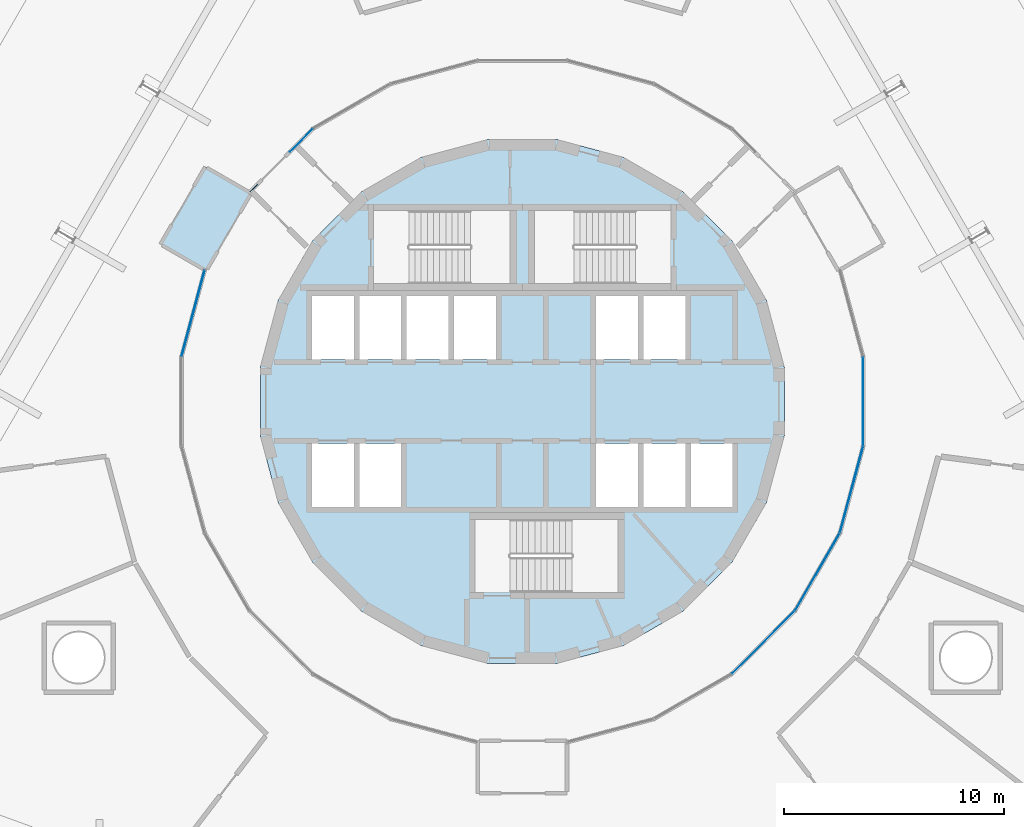
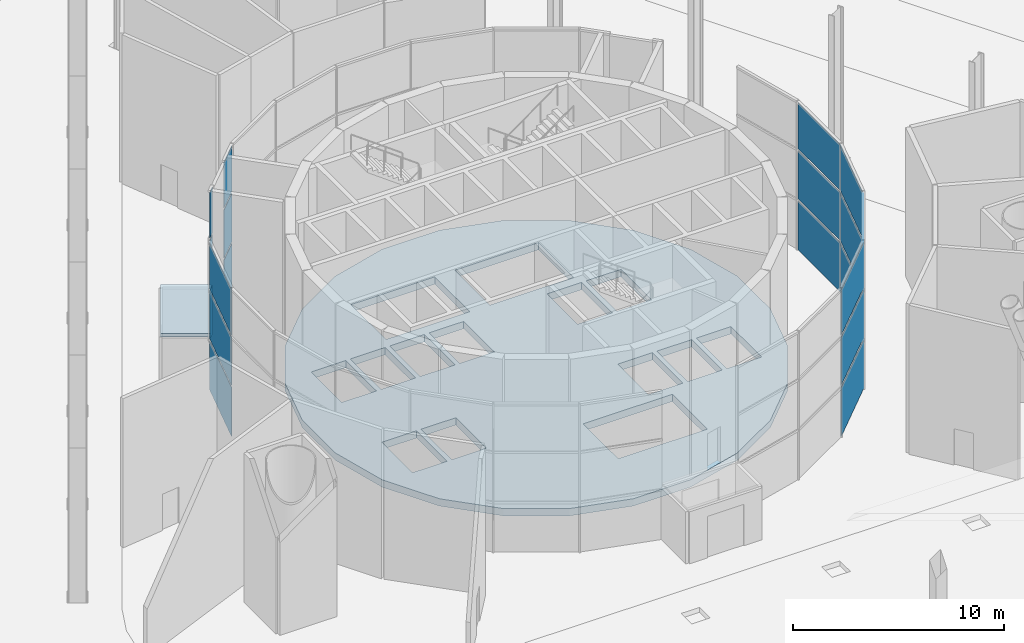
# One storey, part 11 of 21: 21 plates, 2 slabs, 6 elements without a shape of their own.
"""IFC4 building model written with IfcOpenShell, lengths in metres."""

import ifcopenshell
import ifcopenshell.guid

model = None  # the IFC model being written
_history = None  # IfcOwnerHistory: only IFC2X3 demands one
_inside = {}  # id of a spatial element -> (the spatial element, [elements in it])
_under = {}  # id of a project, library or spatial element -> (it, [spatial elements below it])
_declared = {}  # id of a project -> (the project, [libraries it declares])
_typed = {}  # id of a type object -> (the type object, [elements of that type])
_made_of = {}  # id of a material, layer set ... -> (it, [elements and type objects made of it])


def new_model(schema):
    """Start an empty IFC model of exactly this schema.

    Asked for "IFC4X3", IfcOpenShell would pick the latest addendum, in which some entities
    have other attributes; the version numbers below select the first issue.
    IFC2X3 requires an IfcOwnerHistory on every rooted entity: one is made here for all.
    """
    global model, _history
    if schema == "IFC4X3":
        model = ifcopenshell.file(schema_version=(4, 3, 0, 0))
    else:
        model = ifcopenshell.file(schema=schema)
    _inside.clear()
    _under.clear()
    _declared.clear()
    _typed.clear()
    _made_of.clear()
    _history = None
    if model.schema == "IFC2X3":
        org = make("IfcOrganization", Name="unknown")
        user = make(
            "IfcPersonAndOrganization",
            ThePerson=make("IfcPerson", FamilyName="unknown"),
            TheOrganization=org,
        )
        app = make(
            "IfcApplication",
            ApplicationDeveloper=org,
            Version="unknown",
            ApplicationFullName="unknown",
            ApplicationIdentifier="unknown",
        )
        _history = make(
            "IfcOwnerHistory",
            OwningUser=user,
            OwningApplication=app,
            ChangeAction="ADDED",
            CreationDate=0,
        )
    return model


def make(cls, **values):
    """One entity of the class cls with the attributes given. An attribute that is None is left unset."""
    return model.create_entity(
        cls, **{name: value for name, value in values.items() if value is not None}
    )


def rooted(cls, **values):
    """An entity with a GlobalId (a new one), such as an element, a storey or a relation."""
    return make(cls, GlobalId=ifcopenshell.guid.new(), OwnerHistory=_history, **values)


def si_unit(unit_type, name, prefix=None):
    """IfcSIUnit, for example si_unit("LENGTHUNIT", "METRE", prefix="MILLI")."""
    return make("IfcSIUnit", UnitType=unit_type, Prefix=prefix, Name=name)


def assignment(units):
    """IfcUnitAssignment: the units of a project."""
    return None if units is None else make("IfcUnitAssignment", Units=units)


def point(xyz):
    """IfcCartesianPoint."""
    return None if xyz is None else make("IfcCartesianPoint", Coordinates=xyz)


def direction(xyz):
    """IfcDirection."""
    return None if xyz is None else make("IfcDirection", DirectionRatios=xyz)


def frame(location, z_axis=None, x_axis=None):
    """IfcAxis2Placement3D, a coordinate frame: its origin and axes. An axis left out is left unset."""
    return make(
        "IfcAxis2Placement3D",
        Location=point(location),
        Axis=direction(z_axis),
        RefDirection=direction(x_axis),
    )


def frame_2d(location, x_axis=None):
    """IfcAxis2Placement2D, a coordinate frame in the plane: its origin and x axis."""
    return make(
        "IfcAxis2Placement2D", Location=point(location), RefDirection=direction(x_axis)
    )


def origin():
    """The frame at (0, 0, 0) with its axes left unset."""
    return frame((0.0, 0.0, 0.0))


def origin_2d():
    """The frame at (0, 0) in the plane with its x axis left unset."""
    return frame_2d((0.0, 0.0))


def place(relative_to, where):
    """IfcLocalPlacement: puts the frame where relative to a parent placement (None: the world)."""
    return make(
        "IfcLocalPlacement", PlacementRelTo=relative_to, RelativePlacement=where
    )


def context(
    kind, dimensions, precision=None, world=None, true_north=None, identifier=None
):
    """IfcGeometricRepresentationContext, for example the 3D "Model" context."""
    return make(
        "IfcGeometricRepresentationContext",
        ContextIdentifier=identifier,
        ContextType=kind,
        CoordinateSpaceDimension=dimensions,
        Precision=precision,
        WorldCoordinateSystem=world,
        TrueNorth=true_north,
    )


def subcontext(parent, identifier, kind, view, scale=None):
    """IfcGeometricRepresentationSubContext, for example "Body" below "Model"."""
    return make(
        "IfcGeometricRepresentationSubContext",
        ContextIdentifier=identifier,
        ContextType=kind,
        ParentContext=parent,
        TargetScale=scale,
        TargetView=view,
    )


def project(units=None, contexts=None):
    """IfcProject with its units and contexts."""
    return rooted(
        "IfcProject",
        Name="project",
        RepresentationContexts=contexts,
        UnitsInContext=assignment(units),
    )


def spatial(cls, under=None, at=None, **own):
    """A site, building, storey or space (cls), placed at a placement, below another one or the project."""
    s = rooted(cls, ObjectPlacement=at, **own)
    if under is not None:
        _under.setdefault(under.id(), (under, []))[1].append(s)
    return s


def polyline(points):
    """IfcPolyline through the points."""
    return make("IfcPolyline", Points=[point(p) for p in points])


def profile(cls, at=None, kind="AREA", **sizes):
    """A parametric profile (cls). Its sizes go by their IFC names, for example OverallWidth=200.0."""
    return make(cls, ProfileType=kind, Position=at, **sizes)


def rectangle(**sizes):
    """IfcRectangleProfileDef."""
    return profile("IfcRectangleProfileDef", **sizes)


def outline(outer, holes=None, kind="AREA"):
    """IfcArbitraryClosedProfileDef: a profile drawn as a closed curve; with holes, ...WithVoids."""
    if holes is None:
        return make("IfcArbitraryClosedProfileDef", ProfileType=kind, OuterCurve=outer)
    return make(
        "IfcArbitraryProfileDefWithVoids",
        ProfileType=kind,
        OuterCurve=outer,
        InnerCurves=holes,
    )


def extrude(swept, where, along, depth):
    """IfcExtrudedAreaSolid: the profile swept, set in the frame where, extruded along a direction by depth."""
    return make(
        "IfcExtrudedAreaSolid",
        SweptArea=swept,
        Position=where,
        ExtrudedDirection=direction(along),
        Depth=depth,
    )


def shape(context_of_items, identifier, shape_type, items):
    """IfcShapeRepresentation: the items that make up one representation, for example the "Body"."""
    return make(
        "IfcShapeRepresentation",
        ContextOfItems=context_of_items,
        RepresentationIdentifier=identifier,
        RepresentationType=shape_type,
        Items=items,
    )


def material(Name=None, Category=None):
    """IfcMaterial."""
    return make("IfcMaterial", Name=Name, Category=Category)


def layer(
    of_material, thickness, ventilated=None, Name=None, Category=None, Priority=None
):
    """IfcMaterialLayer: one layer of a wall or slab, of a material (None: an air gap)."""
    return make(
        "IfcMaterialLayer",
        Material=of_material,
        LayerThickness=thickness,
        IsVentilated=ventilated,
        Name=Name,
        Category=Category,
        Priority=Priority,
    )


def layer_set(layers, Name=None):
    """IfcMaterialLayerSet."""
    return make("IfcMaterialLayerSet", MaterialLayers=layers, LayerSetName=Name)


def made_of(thing, what):
    """Note that an element or type object is made of a material, layer set ...; save() writes the relation."""
    if what is not None:
        _made_of.setdefault(what.id(), (what, []))[1].append(thing)
    return thing


def type_object(cls, material=None, **own):
    """A type object (cls), such as IfcWallType, which elements share."""
    return made_of(rooted(cls, **own), material)


def element(
    cls,
    number,
    at=None,
    inside=None,
    cuts=None,
    type_object=None,
    material=None,
    context=None,
    identifier="Body",
    shape_type=None,
    held_by="IfcProductDefinitionShape",
    body=None,
    shapes=None,
    **own,
):
    """One element of the class cls, such as IfcWall. Its Tag is "e" and its number.

    at: its placement. inside: the storey or other place that contains it. cuts: it is an
    opening in that element (IfcRelVoidsElement). A single representation is given by context,
    identifier, shape_type and body (its items); several are given by shapes. held_by: the class
    of the entity that holds the representations. save() writes the other relations.
    """
    e = rooted(cls, Tag="e%d" % number, ObjectPlacement=at, **own)
    if body is not None:
        shapes = [shape(context, identifier, shape_type, body)]
    if shapes is not None:
        e.Representation = make(held_by, Representations=shapes)
    if inside is not None:
        _inside.setdefault(inside.id(), (inside, []))[1].append(e)
    if cuts is not None:
        rooted(
            "IfcRelVoidsElement", RelatingBuildingElement=cuts, RelatedOpeningElement=e
        )
    if type_object is not None:
        _typed.setdefault(type_object.id(), (type_object, []))[1].append(e)
    return made_of(e, material)


def aggregate(whole, parts):
    """IfcRelAggregates: a whole, such as a stair, and the parts it consists of."""
    return rooted("IfcRelAggregates", RelatingObject=whole, RelatedObjects=parts)


def save(model, path):
    """Write the relations noted so far, then the file.

    IfcRelAggregates (storeys below a building ...), IfcRelContainedInSpatialStructure (elements
    in a storey), IfcRelDefinesByType, IfcRelAssociatesMaterial and IfcRelDeclares: one each for
    every whole, place, type object, material and project.
    """
    for whole, parts in _under.values():
        aggregate(whole, parts)
    for where, things in _inside.values():
        rooted(
            "IfcRelContainedInSpatialStructure",
            RelatedElements=things,
            RelatingStructure=where,
        )
    for kind, things in _typed.values():
        rooted("IfcRelDefinesByType", RelatedObjects=things, RelatingType=kind)
    for what, things in _made_of.values():
        rooted("IfcRelAssociatesMaterial", RelatedObjects=things, RelatingMaterial=what)
    for by, libraries in _declared.values():
        rooted("IfcRelDeclares", RelatingContext=by, RelatedDefinitions=libraries)
    model.write(path)


model = new_model("IFC4")

# Units and contexts
model_context = context("Model", 3, precision=1e-05, world=origin(), true_north=direction((0.0, 1.0)))
body_context = subcontext(model_context, "Body", "Model", "MODEL_VIEW")
ifc_project = project(units=[si_unit("LENGTHUNIT", "METRE"), si_unit("AREAUNIT", "SQUARE_METRE"), si_unit("VOLUMEUNIT", "CUBIC_METRE"), si_unit("PLANEANGLEUNIT", "RADIAN"), si_unit("MASSUNIT", "GRAM", prefix="KILO")], contexts=[model_context])

# Site, building, storey
site_placement = place(None, origin())
site = spatial("IfcSite", under=ifc_project, at=site_placement, CompositionType="ELEMENT")
building_placement = place(site_placement, origin())
building = spatial("IfcBuilding", under=site, at=building_placement, Name="Spindle Arch Residences", CompositionType="ELEMENT")
storey_placement = place(building_placement, origin())
storey = spatial("IfcBuildingStorey", under=building, at=storey_placement, Name="L00", CompositionType="ELEMENT", Elevation=0.0)

# Slabs
ifc_material_1 = material(Name="Concrete C50/60", Category="concrete")
ifc_layer_1 = layer(ifc_material_1, 0.419921875)
ifc_layer_set_1 = layer_set([ifc_layer_1], Name="Core floor slab 420")
slab_type_1 = type_object("IfcSlabType", Name="Core floor slab 420", PredefinedType="FLOOR", material=ifc_layer_set_1)
slab_1_placement = place(storey_placement, frame((0.0, 0.0, -0.419921875)))
element("IfcSlab", 1, at=slab_1_placement, inside=storey, type_object=slab_type_1, Name="Core floor L00", PredefinedType="FLOOR", context=body_context, shape_type="SweptSolid", body=[
    extrude(outline(polyline([(1.56640625, -11.897216796875), (4.59228515625, -11.086669921875), (7.30517578125, -9.520263671875), (9.520263671875, -7.30517578125), (11.086669921875, -4.59228515625), (11.897216796875, -1.56640625), (11.897216796875, 1.56640625), (11.086669921875, 4.59228515625), (9.520263671875, 7.30517578125), (7.30517578125, 9.520263671875), (4.59228515625, 11.086669921875), (1.56640625, 11.897216796875), (-1.56640625, 11.897216796875), (-4.59228515625, 11.086669921875), (-7.30517578125, 9.520263671875), (-9.520263671875, 7.30517578125), (-11.086669921875, 4.59228515625), (-11.897216796875, 1.56640625), (-11.897216796875, -1.56640625), (-11.086669921875, -4.59228515625), (-9.520263671875, -7.30517578125), (-7.30517578125, -9.520263671875), (-4.59228515625, -11.086669921875), (-1.56640625, -11.897216796875), (1.56640625, -11.897216796875)]), holes=[polyline([(-9.550048828125, 1.89990234375), (-7.64990234375, 1.89990234375), (-7.64990234375, 4.800048828125), (-9.550048828125, 4.800048828125), (-9.550048828125, 1.89990234375)]), polyline([(-7.39990234375, 1.89990234375), (-5.5, 1.89990234375), (-5.5, 4.800048828125), (-7.39990234375, 4.800048828125), (-7.39990234375, 1.89990234375)]), polyline([(-5.25, 1.89990234375), (-3.35009765625, 1.89990234375), (-3.35009765625, 4.800048828125), (-5.25, 4.800048828125), (-5.25, 1.89990234375)]), polyline([(-3.10009765625, 1.89990234375), (-1.199951171875, 1.89990234375), (-1.199951171875, 4.800048828125), (-3.10009765625, 4.800048828125), (-3.10009765625, 1.89990234375)]), polyline([(3.35009765625, 1.89990234375), (5.25, 1.89990234375), (5.25, 4.800048828125), (3.35009765625, 4.800048828125), (3.35009765625, 1.89990234375)]), polyline([(5.5, 1.89990234375), (7.39990234375, 1.89990234375), (7.39990234375, 4.800048828125), (5.5, 4.800048828125), (5.5, 1.89990234375)]), polyline([(-9.550048828125, -4.800048828125), (-7.64990234375, -4.800048828125), (-7.64990234375, -1.89990234375), (-9.550048828125, -1.89990234375), (-9.550048828125, -4.800048828125)]), polyline([(-7.39990234375, -4.800048828125), (-5.5, -4.800048828125), (-5.5, -1.89990234375), (-7.39990234375, -1.89990234375), (-7.39990234375, -4.800048828125)]), polyline([(3.35009765625, -4.800048828125), (5.25, -4.800048828125), (5.25, -1.89990234375), (3.35009765625, -1.89990234375), (3.35009765625, -4.800048828125)]), polyline([(5.5, -4.800048828125), (7.39990234375, -4.800048828125), (7.39990234375, -1.89990234375), (5.5, -1.89990234375), (5.5, -4.800048828125)]), polyline([(7.64990234375, -4.800048828125), (9.550048828125, -4.800048828125), (9.550048828125, -1.89990234375), (7.64990234375, -1.89990234375), (7.64990234375, -4.800048828125)]), polyline([(5.1298828125, 8.669921875), (0.550048828125, 8.669921875), (0.550048828125, 5.35009765625), (5.1298828125, 5.35009765625), (5.1298828125, 8.669921875)]), polyline([(-5.1298828125, 5.35009765625), (-0.550048828125, 5.35009765625), (-0.550048828125, 8.669921875), (-5.1298828125, 8.669921875), (-5.1298828125, 5.35009765625)]), polyline([(-0.530029296875, -8.669921875), (4.35009765625, -8.669921875), (4.35009765625, -5.35009765625), (-0.530029296875, -5.35009765625), (-0.530029296875, -8.669921875)])]), origin(), (0.0, 0.0, 1.0), 0.419921875),
])
ifc_material_2 = material(Name="Concrete C40/50", Category="concrete")
ifc_layer_2 = layer(ifc_material_2, 0.199951171875)
ifc_layer_set_2 = layer_set([ifc_layer_2], Name="Entrance vestibule roof slab 200")
slab_type_2 = type_object("IfcSlabType", Name="Entrance vestibule roof slab 200", PredefinedType="ROOF", material=ifc_layer_set_2)
slab_2_placement = place(storey_placement, frame((0.0, 0.0, 3.0)))
element("IfcSlab", 2, at=slab_2_placement, inside=storey, type_object=slab_type_2, Name="Entrance vestibule NW roof", PredefinedType="ROOF", context=body_context, shape_type="SweptSolid", body=[
    extrude(outline(polyline([(-14.34814453125, 5.943115234375), (-12.32080078125, 9.4541015625), (-14.399169921875, 10.654296875), (-16.426513671875, 7.143310546875), (-14.34814453125, 5.943115234375)])), origin(), (0.0, 0.0, 1.0), 0.199951171875),
])

# Curtain wall, plates
ifc_material_3 = material(Name="Aluminium bronze unitised frame with tinted glass", Category="aluminium")
ifc_layer_3 = layer(ifc_material_3, 0.159912109375)
ifc_layer_set_3 = layer_set([ifc_layer_3], Name="CW-A arcade glazed lobby wall")
curtain_wall_type = type_object("IfcCurtainWallType", Name="CW-A arcade glazed lobby wall", PredefinedType="NOTDEFINED", material=ifc_layer_set_3)
curtain_wall_1_placement = place(storey_placement, origin())
curtain_wall_1 = element("IfcCurtainWall", 3, at=curtain_wall_1_placement, inside=storey, type_object=curtain_wall_type, Name="CW-A L00 CWA01", PredefinedType="NOTDEFINED")
ifc_material_4 = material(Name="Tinted laminated glass 28 mm", Category="glass")
ifc_layer_4 = layer(ifc_material_4, 0.028076171875)
ifc_layer_set_4 = layer_set([ifc_layer_4], Name="Tinted glass panel 28 mm")
plate_type = type_object("IfcPlateType", Name="Tinted glass panel 28 mm", PredefinedType="CURTAIN_PANEL", material=ifc_layer_set_4)
plate_1_placement = place(storey_placement, frame((10.943603515625, -10.943603515625, 0.0), z_axis=(0.0, 0.0, 1.0), x_axis=(0.707106781187, 0.707106781187, 0.0)))
plate_1 = element("IfcPlate", 4, at=plate_1_placement, type_object=plate_type, Name="CW-A panel 00.1", PredefinedType="CURTAIN_PANEL", context=body_context, shape_type="SweptSolid", body=[
    extrude(rectangle(XDim=4.014892578125, YDim=0.028076171875, at=origin_2d()), origin(), (0.0, 0.0, 1.0), 2.840087890625),
])
plate_2_placement = place(storey_placement, frame((10.943603515625, -10.943603515625, 2.9599609375), z_axis=(0.0, 0.0, 1.0), x_axis=(0.707106781187, 0.707106781187, 0.0)))
plate_2 = element("IfcPlate", 5, at=plate_2_placement, type_object=plate_type, Name="CW-A panel 00.2", PredefinedType="CURTAIN_PANEL", context=body_context, shape_type="SweptSolid", body=[
    extrude(rectangle(XDim=4.014892578125, YDim=0.028076171875, at=origin_2d()), origin(), (0.0, 0.0, 1.0), 2.780029296875),
])
plate_3_placement = place(storey_placement, frame((10.943603515625, -10.943603515625, 5.85986328125), z_axis=(0.0, 0.0, 1.0), x_axis=(0.707106781187, 0.707106781187, 0.0)))
plate_3 = element("IfcPlate", 6, at=plate_3_placement, type_object=plate_type, Name="CW-A panel 00.3", PredefinedType="CURTAIN_PANEL", context=body_context, shape_type="SweptSolid", body=[
    extrude(rectangle(XDim=4.014892578125, YDim=0.028076171875, at=origin_2d()), origin(), (0.0, 0.0, 1.0), 2.639892578125),
])
aggregate(curtain_wall_1, [plate_1, plate_2, plate_3])

curtain_wall_2_placement = place(storey_placement, origin())
curtain_wall_2 = element("IfcCurtainWall", 7, at=curtain_wall_2_placement, inside=storey, type_object=curtain_wall_type, Name="CW-A L00 CWA02", PredefinedType="NOTDEFINED")
plate_4_placement = place(storey_placement, frame((13.403076171875, -7.73828125, 0.0), z_axis=(0.0, 0.0, 1.0), x_axis=(0.500022695718, 0.866012300009, 0.0)))
plate_4 = element("IfcPlate", 8, at=plate_4_placement, type_object=plate_type, Name="CW-A panel 00.1", PredefinedType="CURTAIN_PANEL", context=body_context, shape_type="SweptSolid", body=[
    extrude(rectangle(XDim=4.01513671875, YDim=0.028076171875, at=origin_2d()), origin(), (0.0, 0.0, 1.0), 2.840087890625),
])
plate_5_placement = place(storey_placement, frame((13.403076171875, -7.73828125, 2.9599609375), z_axis=(0.0, 0.0, 1.0), x_axis=(0.500022695718, 0.866012300009, 0.0)))
plate_5 = element("IfcPlate", 9, at=plate_5_placement, type_object=plate_type, Name="CW-A panel 00.2", PredefinedType="CURTAIN_PANEL", context=body_context, shape_type="SweptSolid", body=[
    extrude(rectangle(XDim=4.01513671875, YDim=0.028076171875, at=origin_2d()), origin(), (0.0, 0.0, 1.0), 2.780029296875),
])
plate_6_placement = place(storey_placement, frame((13.403076171875, -7.73828125, 5.85986328125), z_axis=(0.0, 0.0, 1.0), x_axis=(0.500022695718, 0.866012300009, 0.0)))
plate_6 = element("IfcPlate", 10, at=plate_6_placement, type_object=plate_type, Name="CW-A panel 00.3", PredefinedType="CURTAIN_PANEL", context=body_context, shape_type="SweptSolid", body=[
    extrude(rectangle(XDim=4.01513671875, YDim=0.028076171875, at=origin_2d()), origin(), (0.0, 0.0, 1.0), 2.639892578125),
])
aggregate(curtain_wall_2, [plate_4, plate_5, plate_6])

curtain_wall_3_placement = place(storey_placement, origin())
curtain_wall_3 = element("IfcCurtainWall", 11, at=curtain_wall_3_placement, inside=storey, type_object=curtain_wall_type, Name="CW-A L00 CWA03", PredefinedType="NOTDEFINED")
plate_7_placement = place(storey_placement, frame((14.94921875, -4.005615234375, 0.0), z_axis=(0.0, 0.0, 1.0), x_axis=(0.258786338994, 0.965934589271, 0.0)))
plate_7 = element("IfcPlate", 12, at=plate_7_placement, type_object=plate_type, Name="CW-A panel 00.1", PredefinedType="CURTAIN_PANEL", context=body_context, shape_type="SweptSolid", body=[
    extrude(rectangle(XDim=4.01513671875, YDim=0.028076171875, at=origin_2d()), origin(), (0.0, 0.0, 1.0), 2.840087890625),
])
plate_8_placement = place(storey_placement, frame((14.94921875, -4.005615234375, 2.9599609375), z_axis=(0.0, 0.0, 1.0), x_axis=(0.258786338994, 0.965934589271, 0.0)))
plate_8 = element("IfcPlate", 13, at=plate_8_placement, type_object=plate_type, Name="CW-A panel 00.2", PredefinedType="CURTAIN_PANEL", context=body_context, shape_type="SweptSolid", body=[
    extrude(rectangle(XDim=4.01513671875, YDim=0.028076171875, at=origin_2d()), origin(), (0.0, 0.0, 1.0), 2.780029296875),
])
plate_9_placement = place(storey_placement, frame((14.94921875, -4.005615234375, 5.85986328125), z_axis=(0.0, 0.0, 1.0), x_axis=(0.258786338994, 0.965934589271, 0.0)))
plate_9 = element("IfcPlate", 14, at=plate_9_placement, type_object=plate_type, Name="CW-A panel 00.3", PredefinedType="CURTAIN_PANEL", context=body_context, shape_type="SweptSolid", body=[
    extrude(rectangle(XDim=4.01513671875, YDim=0.028076171875, at=origin_2d()), origin(), (0.0, 0.0, 1.0), 2.639892578125),
])
aggregate(curtain_wall_3, [plate_7, plate_8, plate_9])

curtain_wall_4_placement = place(storey_placement, origin())
curtain_wall_4 = element("IfcCurtainWall", 15, at=curtain_wall_4_placement, inside=storey, type_object=curtain_wall_type, Name="CW-A L00 CWA04", PredefinedType="NOTDEFINED")
plate_10_placement = place(storey_placement, frame((15.4765625, 0.0, 0.0), z_axis=(0.0, 0.0, 1.0), x_axis=(0.0, 1.0, 0.0)))
plate_10 = element("IfcPlate", 16, at=plate_10_placement, type_object=plate_type, Name="CW-A panel 00.1", PredefinedType="CURTAIN_PANEL", context=body_context, shape_type="SweptSolid", body=[
    extrude(rectangle(XDim=4.014892578125, YDim=0.028076171875, at=origin_2d()), origin(), (0.0, 0.0, 1.0), 2.840087890625),
])
plate_11_placement = place(storey_placement, frame((15.4765625, 0.0, 2.9599609375), z_axis=(0.0, 0.0, 1.0), x_axis=(0.0, 1.0, 0.0)))
plate_11 = element("IfcPlate", 17, at=plate_11_placement, type_object=plate_type, Name="CW-A panel 00.2", PredefinedType="CURTAIN_PANEL", context=body_context, shape_type="SweptSolid", body=[
    extrude(rectangle(XDim=4.014892578125, YDim=0.028076171875, at=origin_2d()), origin(), (0.0, 0.0, 1.0), 2.780029296875),
])
plate_12_placement = place(storey_placement, frame((15.4765625, 0.0, 5.85986328125), z_axis=(0.0, 0.0, 1.0), x_axis=(0.0, 1.0, 0.0)))
plate_12 = element("IfcPlate", 18, at=plate_12_placement, type_object=plate_type, Name="CW-A panel 00.3", PredefinedType="CURTAIN_PANEL", context=body_context, shape_type="SweptSolid", body=[
    extrude(rectangle(XDim=4.014892578125, YDim=0.028076171875, at=origin_2d()), origin(), (0.0, 0.0, 1.0), 2.639892578125),
])
aggregate(curtain_wall_4, [plate_10, plate_11, plate_12])

curtain_wall_5_placement = place(storey_placement, origin())
curtain_wall_5 = element("IfcCurtainWall", 19, at=curtain_wall_5_placement, inside=storey, type_object=curtain_wall_type, Name="CW-A L00 CWA13", PredefinedType="NOTDEFINED")
plate_13_placement = place(storey_placement, frame((-10.03564453125, 11.8515625, 0.0), z_axis=(0.0, 0.0, 1.0), x_axis=(-0.707106781187, -0.707106781187, 0.0)))
plate_13 = element("IfcPlate", 20, at=plate_13_placement, type_object=plate_type, Name="CW-A panel L.1", PredefinedType="CURTAIN_PANEL", context=body_context, shape_type="SweptSolid", body=[
    extrude(rectangle(XDim=1.447021484375, YDim=0.028076171875, at=origin_2d()), origin(), (0.0, 0.0, 1.0), 2.840087890625),
])
plate_14_placement = place(storey_placement, frame((-10.03564453125, 11.8515625, 2.9599609375), z_axis=(0.0, 0.0, 1.0), x_axis=(-0.707106781187, -0.707106781187, 0.0)))
plate_14 = element("IfcPlate", 21, at=plate_14_placement, type_object=plate_type, Name="CW-A panel L.2", PredefinedType="CURTAIN_PANEL", context=body_context, shape_type="SweptSolid", body=[
    extrude(rectangle(XDim=1.447021484375, YDim=0.028076171875, at=origin_2d()), origin(), (0.0, 0.0, 1.0), 2.780029296875),
])
plate_15_placement = place(storey_placement, frame((-10.03564453125, 11.8515625, 5.85986328125), z_axis=(0.0, 0.0, 1.0), x_axis=(-0.707106781187, -0.707106781187, 0.0)))
plate_15 = element("IfcPlate", 22, at=plate_15_placement, type_object=plate_type, Name="CW-A panel L.3", PredefinedType="CURTAIN_PANEL", context=body_context, shape_type="SweptSolid", body=[
    extrude(rectangle(XDim=1.447021484375, YDim=0.028076171875, at=origin_2d()), origin(), (0.0, 0.0, 1.0), 2.639892578125),
])
plate_16_placement = place(storey_placement, frame((-12.19775390625, 9.689697265625, 0.0), z_axis=(0.0, 0.0, 1.0), x_axis=(-0.707106781187, -0.707106781187, 0.0)))
plate_16 = element("IfcPlate", 23, at=plate_16_placement, type_object=plate_type, Name="CW-A panel R.1", PredefinedType="CURTAIN_PANEL", context=body_context, shape_type="SweptSolid", body=[
    extrude(rectangle(XDim=0.468017578125, YDim=0.028076171875, at=origin_2d()), origin(), (0.0, 0.0, 1.0), 2.840087890625),
])
plate_17_placement = place(storey_placement, frame((-12.19775390625, 9.689697265625, 2.9599609375), z_axis=(0.0, 0.0, 1.0), x_axis=(-0.707106781187, -0.707106781187, 0.0)))
plate_17 = element("IfcPlate", 24, at=plate_17_placement, type_object=plate_type, Name="CW-A panel R.2", PredefinedType="CURTAIN_PANEL", context=body_context, shape_type="SweptSolid", body=[
    extrude(rectangle(XDim=0.468017578125, YDim=0.028076171875, at=origin_2d()), origin(), (0.0, 0.0, 1.0), 2.780029296875),
])
plate_18_placement = place(storey_placement, frame((-12.19775390625, 9.689697265625, 5.85986328125), z_axis=(0.0, 0.0, 1.0), x_axis=(-0.707106781187, -0.707106781187, 0.0)))
plate_18 = element("IfcPlate", 25, at=plate_18_placement, type_object=plate_type, Name="CW-A panel R.3", PredefinedType="CURTAIN_PANEL", context=body_context, shape_type="SweptSolid", body=[
    extrude(rectangle(XDim=0.468017578125, YDim=0.028076171875, at=origin_2d()), origin(), (0.0, 0.0, 1.0), 2.639892578125),
])
aggregate(curtain_wall_5, [plate_13, plate_14, plate_15, plate_16, plate_17, plate_18])

curtain_wall_6_placement = place(storey_placement, origin())
curtain_wall_6 = element("IfcCurtainWall", 26, at=curtain_wall_6_placement, inside=storey, type_object=curtain_wall_type, Name="CW-A L00 CWA15", PredefinedType="NOTDEFINED")
plate_19_placement = place(storey_placement, frame((-14.94921875, 4.005615234375, 0.0), z_axis=(0.0, 0.0, 1.0), x_axis=(-0.258786338994, -0.965934589271, 0.0)))
plate_19 = element("IfcPlate", 27, at=plate_19_placement, type_object=plate_type, Name="CW-A panel 00.1", PredefinedType="CURTAIN_PANEL", context=body_context, shape_type="SweptSolid", body=[
    extrude(rectangle(XDim=4.01513671875, YDim=0.028076171875, at=origin_2d()), origin(), (0.0, 0.0, 1.0), 2.840087890625),
])
plate_20_placement = place(storey_placement, frame((-14.94921875, 4.005615234375, 2.9599609375), z_axis=(0.0, 0.0, 1.0), x_axis=(-0.258786338994, -0.965934589271, 0.0)))
plate_20 = element("IfcPlate", 28, at=plate_20_placement, type_object=plate_type, Name="CW-A panel 00.2", PredefinedType="CURTAIN_PANEL", context=body_context, shape_type="SweptSolid", body=[
    extrude(rectangle(XDim=4.01513671875, YDim=0.028076171875, at=origin_2d()), origin(), (0.0, 0.0, 1.0), 2.780029296875),
])
plate_21_placement = place(storey_placement, frame((-14.94921875, 4.005615234375, 5.85986328125), z_axis=(0.0, 0.0, 1.0), x_axis=(-0.258786338994, -0.965934589271, 0.0)))
plate_21 = element("IfcPlate", 29, at=plate_21_placement, type_object=plate_type, Name="CW-A panel 00.3", PredefinedType="CURTAIN_PANEL", context=body_context, shape_type="SweptSolid", body=[
    extrude(rectangle(XDim=4.01513671875, YDim=0.028076171875, at=origin_2d()), origin(), (0.0, 0.0, 1.0), 2.639892578125),
])
aggregate(curtain_wall_6, [plate_19, plate_20, plate_21])

save(model, "model.ifc")
